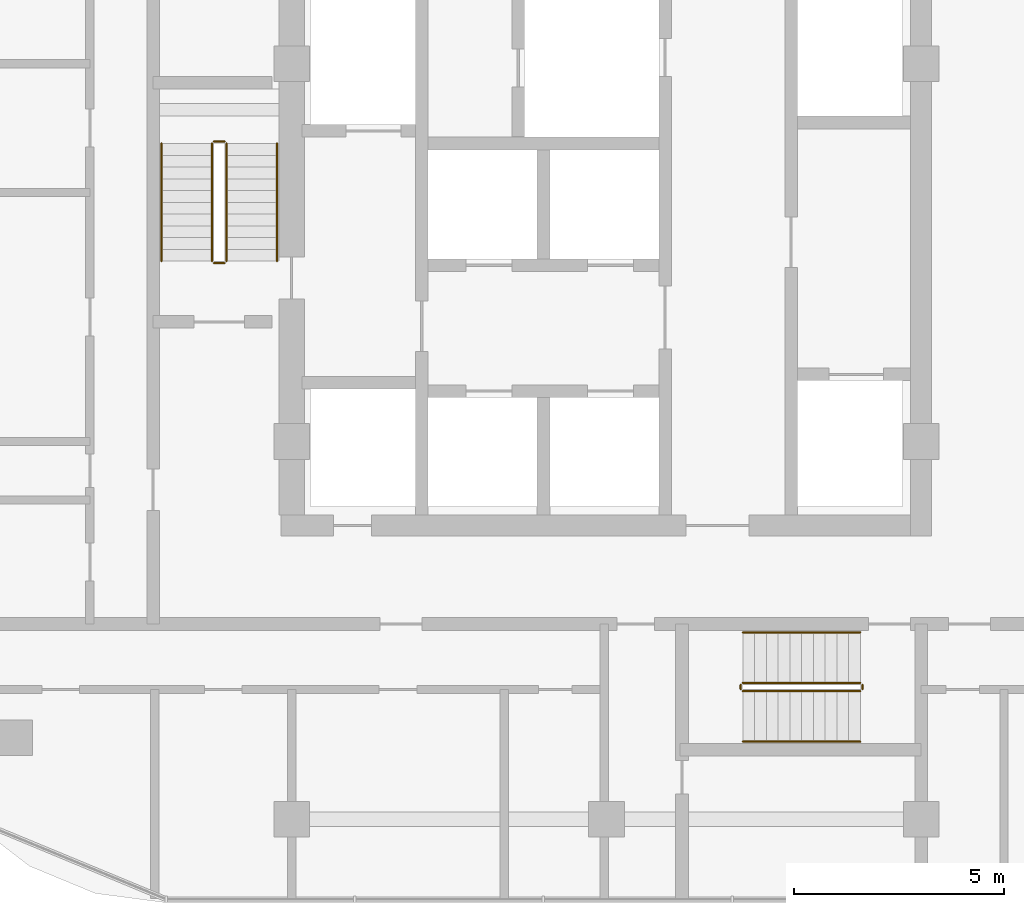
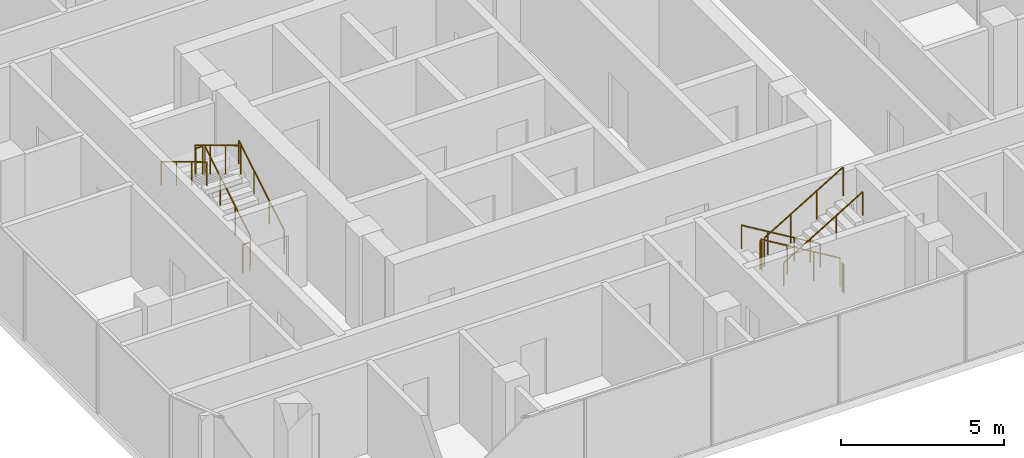
# One storey, part 32 of 32: 12 railings.
"""IFC4 building model written with IfcOpenShell, lengths in metres."""

from ifc_helpers import new_model, si_unit, direction, frame, origin, origin_2d, place, context, subcontext, project, spatial, circle, extrude, material, type_object, element, save


model = new_model("IFC4")

# Units and contexts
model_context = context("Model", 3, precision=1e-05, world=origin(), true_north=direction((0.0, 1.0)))
body_context = subcontext(model_context, "Body", "Model", "MODEL_VIEW")
ifc_project = project(units=[si_unit("LENGTHUNIT", "METRE"), si_unit("AREAUNIT", "SQUARE_METRE"), si_unit("VOLUMEUNIT", "CUBIC_METRE"), si_unit("PLANEANGLEUNIT", "RADIAN"), si_unit("MASSUNIT", "GRAM", prefix="KILO")], contexts=[model_context])

# Site, building, storey
site_placement = place(None, origin())
site = spatial("IfcSite", under=ifc_project, at=site_placement, CompositionType="ELEMENT")
building_placement = place(site_placement, origin())
building = spatial("IfcBuilding", under=site, at=building_placement, Name="Ogive Portal Towers", CompositionType="ELEMENT")
storey_placement = place(building_placement, frame((0.0, 0.0, 59.39990234375)))
storey = spatial("IfcBuildingStorey", under=building, at=storey_placement, Name="L13", CompositionType="ELEMENT", Elevation=59.39990234375)

# Railings
ifc_material_1 = material(Name="Stainless steel balustrade", Category="steel")
railing_type_1 = type_object("IfcRailingType", Name="INT-GUARD", PredefinedType="GUARDRAIL", material=ifc_material_1)
railing_1_placement = place(storey_placement, frame((127.449951171875, 30.800048828125, 0.168212890625)))
element("IfcRailing", 1, at=railing_1_placement, inside=storey, type_object=railing_type_1, Name="L13 ST-B1 stair guard 1", PredefinedType="GUARDRAIL", context=body_context, shape_type="SweptSolid", body=[
    extrude(circle(Radius=0.02392578125, at=origin_2d()), frame((0.0, 0.0, 1.076171875), z_axis=(0.0, 0.857242210791, 0.514913383045), x_axis=(-1.0, 0.0, 0.0)), (0.0, 0.0, 1.0), 3.266357421875),
    extrude(circle(Radius=0.02099609375, at=origin_2d()), origin(), (0.0, 0.0, 1.0), 1.052001953125),
    extrude(circle(Radius=0.02099609375, at=origin_2d()), frame((0.0, 0.933349609375, 0.560546875)), (0.0, 0.0, 1.0), 1.052001953125),
    extrude(circle(Radius=0.02099609375, at=origin_2d()), frame((0.0, 1.86669921875, 1.121337890625)), (0.0, 0.0, 1.0), 1.052001953125),
    extrude(circle(Radius=0.02099609375, at=origin_2d()), frame((0.0, 2.800048828125, 1.681884765625)), (0.0, 0.0, 1.0), 1.052001953125),
])
railing_2_placement = place(storey_placement, frame((127.39990234375, 33.64990234375, 1.85009765625)))
element("IfcRailing", 2, at=railing_2_placement, inside=storey, type_object=railing_type_1, Name="L13 ST-B1 stair guard 2", PredefinedType="GUARDRAIL", context=body_context, shape_type="SweptSolid", body=[
    extrude(circle(Radius=0.02392578125, at=origin_2d()), frame((0.0, 0.0, 1.076171875), z_axis=(-1.0, 0.0, 0.0), x_axis=(0.0, -1.0, 0.0)), (0.0, 0.0, 1.0), 0.25),
    extrude(circle(Radius=0.02099609375, at=origin_2d()), origin(), (0.0, 0.0, 1.0), 1.052001953125),
    extrude(circle(Radius=0.02099609375, at=origin_2d()), frame((-0.25, 0.0, 0.0)), (0.0, 0.0, 1.0), 1.052001953125),
])
railing_3_placement = place(storey_placement, frame((127.10009765625, 33.60009765625, 2.018310546875)))
element("IfcRailing", 3, at=railing_3_placement, inside=storey, type_object=railing_type_1, Name="L13 ST-B1 stair guard 3", PredefinedType="GUARDRAIL", context=body_context, shape_type="SweptSolid", body=[
    extrude(circle(Radius=0.02392578125, at=origin_2d()), frame((0.0, 0.0, 1.076171875), z_axis=(0.0, -0.857242210791, 0.514913383045), x_axis=(1.0, 0.0, 0.0)), (0.0, 0.0, 1.0), 3.266357421875),
    extrude(circle(Radius=0.02099609375, at=origin_2d()), origin(), (0.0, 0.0, 1.0), 1.052001953125),
    extrude(circle(Radius=0.02099609375, at=origin_2d()), frame((0.0, -0.933349609375, 0.560546875)), (0.0, 0.0, 1.0), 1.052001953125),
    extrude(circle(Radius=0.02099609375, at=origin_2d()), frame((0.0, -1.86669921875, 1.121337890625)), (0.0, 0.0, 1.0), 1.052001953125),
    extrude(circle(Radius=0.02099609375, at=origin_2d()), frame((0.0, -2.800048828125, 1.681884765625)), (0.0, 0.0, 1.0), 1.052001953125),
])
railing_4_placement = place(storey_placement, frame((127.39990234375, 30.75, 0.0)))
element("IfcRailing", 4, at=railing_4_placement, inside=storey, type_object=railing_type_1, Name="L13 ST-B1 stair guard 4", PredefinedType="GUARDRAIL", context=body_context, shape_type="SweptSolid", body=[
    extrude(circle(Radius=0.02392578125, at=origin_2d()), frame((0.0, 0.0, 1.076171875), z_axis=(-1.0, 0.0, 0.0), x_axis=(0.0, -1.0, 0.0)), (0.0, 0.0, 1.0), 0.25),
    extrude(circle(Radius=0.02099609375, at=origin_2d()), origin(), (0.0, 0.0, 1.0), 1.052001953125),
    extrude(circle(Radius=0.02099609375, at=origin_2d()), frame((-0.25, 0.0, 0.0)), (0.0, 0.0, 1.0), 1.052001953125),
])
railing_5_placement = place(storey_placement, frame((142.550048828125, 20.75, 0.168212890625)))
element("IfcRailing", 5, at=railing_5_placement, inside=storey, type_object=railing_type_1, Name="L13 ST-B2 stair guard 1", PredefinedType="GUARDRAIL", context=body_context, shape_type="SweptSolid", body=[
    extrude(circle(Radius=0.02392578125, at=origin_2d()), frame((0.0, 0.0, 1.076171875), z_axis=(-0.857242210791, 0.0, 0.514913383045), x_axis=(0.0, -1.0, 0.0)), (0.0, 0.0, 1.0), 3.266357421875),
    extrude(circle(Radius=0.02099609375, at=origin_2d()), origin(), (0.0, 0.0, 1.0), 1.052001953125),
    extrude(circle(Radius=0.02099609375, at=origin_2d()), frame((-0.933349609375, 0.0, 0.560546875)), (0.0, 0.0, 1.0), 1.052001953125),
    extrude(circle(Radius=0.02099609375, at=origin_2d()), frame((-1.86669921875, 0.0, 1.121337890625)), (0.0, 0.0, 1.0), 1.052001953125),
    extrude(circle(Radius=0.02099609375, at=origin_2d()), frame((-2.800048828125, 0.0, 1.681884765625)), (0.0, 0.0, 1.0), 1.052001953125),
])
railing_6_placement = place(storey_placement, frame((139.699951171875, 20.699951171875, 1.85009765625)))
element("IfcRailing", 6, at=railing_6_placement, inside=storey, type_object=railing_type_1, Name="L13 ST-B2 stair guard 2", PredefinedType="GUARDRAIL", context=body_context, shape_type="SweptSolid", body=[
    extrude(circle(Radius=0.02392578125, at=origin_2d()), frame((0.0, 0.0, 1.076171875), z_axis=(0.0, -1.0, 0.0), x_axis=(1.0, 0.0, 0.0)), (0.0, 0.0, 1.0), 0.099853515625),
    extrude(circle(Radius=0.02099609375, at=origin_2d()), origin(), (0.0, 0.0, 1.0), 1.052001953125),
    extrude(circle(Radius=0.02099609375, at=origin_2d()), frame((0.0, -0.099853515625, 0.0)), (0.0, 0.0, 1.0), 1.052001953125),
])
railing_7_placement = place(storey_placement, frame((139.75, 20.550048828125, 2.018310546875)))
element("IfcRailing", 7, at=railing_7_placement, inside=storey, type_object=railing_type_1, Name="L13 ST-B2 stair guard 3", PredefinedType="GUARDRAIL", context=body_context, shape_type="SweptSolid", body=[
    extrude(circle(Radius=0.02392578125, at=origin_2d()), frame((0.0, 0.0, 1.076171875), z_axis=(0.857242210791, 0.0, 0.514913383045), x_axis=(0.0, 1.0, 0.0)), (0.0, 0.0, 1.0), 3.266357421875),
    extrude(circle(Radius=0.02099609375, at=origin_2d()), origin(), (0.0, 0.0, 1.0), 1.052001953125),
    extrude(circle(Radius=0.02099609375, at=origin_2d()), frame((0.933349609375, 0.0, 0.560546875)), (0.0, 0.0, 1.0), 1.052001953125),
    extrude(circle(Radius=0.02099609375, at=origin_2d()), frame((1.86669921875, 0.0, 1.121337890625)), (0.0, 0.0, 1.0), 1.052001953125),
    extrude(circle(Radius=0.02099609375, at=origin_2d()), frame((2.800048828125, 0.0, 1.681884765625)), (0.0, 0.0, 1.0), 1.052001953125),
])
railing_8_placement = place(storey_placement, frame((142.60009765625, 20.699951171875, 0.0)))
element("IfcRailing", 8, at=railing_8_placement, inside=storey, type_object=railing_type_1, Name="L13 ST-B2 stair guard 4", PredefinedType="GUARDRAIL", context=body_context, shape_type="SweptSolid", body=[
    extrude(circle(Radius=0.02392578125, at=origin_2d()), frame((0.0, 0.0, 1.076171875), z_axis=(0.0, -1.0, 0.0), x_axis=(1.0, 0.0, 0.0)), (0.0, 0.0, 1.0), 0.099853515625),
    extrude(circle(Radius=0.02099609375, at=origin_2d()), origin(), (0.0, 0.0, 1.0), 1.052001953125),
    extrude(circle(Radius=0.02099609375, at=origin_2d()), frame((0.0, -0.099853515625, 0.0)), (0.0, 0.0, 1.0), 1.052001953125),
])
ifc_material_2 = material(Name="Stainless steel handrail", Category="steel")
railing_type_2 = type_object("IfcRailingType", Name="INT-HANDRAIL", PredefinedType="HANDRAIL", material=ifc_material_2)
railing_9_placement = place(storey_placement, frame((128.64990234375, 30.800048828125, 0.168212890625)))
element("IfcRailing", 9, at=railing_9_placement, inside=storey, type_object=railing_type_2, Name="L13 ST-B1 stair handrail 1", PredefinedType="HANDRAIL", context=body_context, shape_type="SweptSolid", body=[
    extrude(circle(Radius=0.02392578125, at=origin_2d()), frame((0.0, 0.0, 0.8759765625), z_axis=(0.0, 0.857242210791, 0.514913383045), x_axis=(-1.0, 0.0, 0.0)), (0.0, 0.0, 1.0), 3.266357421875),
    extrude(circle(Radius=0.02099609375, at=origin_2d()), origin(), (0.0, 0.0, 1.0), 0.851806640625),
    extrude(circle(Radius=0.02099609375, at=origin_2d()), frame((0.0, 0.933349609375, 0.560546875)), (0.0, 0.0, 1.0), 0.851806640625),
    extrude(circle(Radius=0.02099609375, at=origin_2d()), frame((0.0, 1.86669921875, 1.121337890625)), (0.0, 0.0, 1.0), 0.851806640625),
    extrude(circle(Radius=0.02099609375, at=origin_2d()), frame((0.0, 2.800048828125, 1.681884765625)), (0.0, 0.0, 1.0), 0.851806640625),
])
railing_10_placement = place(storey_placement, frame((125.89990234375, 33.60009765625, 2.018310546875)))
element("IfcRailing", 10, at=railing_10_placement, inside=storey, type_object=railing_type_2, Name="L13 ST-B1 stair handrail 2", PredefinedType="HANDRAIL", context=body_context, shape_type="SweptSolid", body=[
    extrude(circle(Radius=0.02392578125, at=origin_2d()), frame((0.0, 0.0, 0.8759765625), z_axis=(0.0, -0.857242210791, 0.514913383045), x_axis=(1.0, 0.0, 0.0)), (0.0, 0.0, 1.0), 3.266357421875),
    extrude(circle(Radius=0.02099609375, at=origin_2d()), origin(), (0.0, 0.0, 1.0), 0.851806640625),
    extrude(circle(Radius=0.02099609375, at=origin_2d()), frame((0.0, -0.933349609375, 0.560546875)), (0.0, 0.0, 1.0), 0.851806640625),
    extrude(circle(Radius=0.02099609375, at=origin_2d()), frame((0.0, -1.86669921875, 1.121337890625)), (0.0, 0.0, 1.0), 0.851806640625),
    extrude(circle(Radius=0.02099609375, at=origin_2d()), frame((0.0, -2.800048828125, 1.681884765625)), (0.0, 0.0, 1.0), 0.851806640625),
])
railing_11_placement = place(storey_placement, frame((142.550048828125, 21.949951171875, 0.168212890625)))
element("IfcRailing", 11, at=railing_11_placement, inside=storey, type_object=railing_type_2, Name="L13 ST-B2 stair handrail 1", PredefinedType="HANDRAIL", context=body_context, shape_type="SweptSolid", body=[
    extrude(circle(Radius=0.02392578125, at=origin_2d()), frame((0.0, 0.0, 0.8759765625), z_axis=(-0.857242210791, 0.0, 0.514913383045), x_axis=(0.0, -1.0, 0.0)), (0.0, 0.0, 1.0), 3.266357421875),
    extrude(circle(Radius=0.02099609375, at=origin_2d()), origin(), (0.0, 0.0, 1.0), 0.851806640625),
    extrude(circle(Radius=0.02099609375, at=origin_2d()), frame((-0.933349609375, 0.0, 0.560546875)), (0.0, 0.0, 1.0), 0.851806640625),
    extrude(circle(Radius=0.02099609375, at=origin_2d()), frame((-1.86669921875, 0.0, 1.121337890625)), (0.0, 0.0, 1.0), 0.851806640625),
    extrude(circle(Radius=0.02099609375, at=origin_2d()), frame((-2.800048828125, 0.0, 1.681884765625)), (0.0, 0.0, 1.0), 0.851806640625),
])
railing_12_placement = place(storey_placement, frame((139.75, 19.35009765625, 2.018310546875)))
element("IfcRailing", 12, at=railing_12_placement, inside=storey, type_object=railing_type_2, Name="L13 ST-B2 stair handrail 2", PredefinedType="HANDRAIL", context=body_context, shape_type="SweptSolid", body=[
    extrude(circle(Radius=0.02392578125, at=origin_2d()), frame((0.0, 0.0, 0.8759765625), z_axis=(0.857242210791, 0.0, 0.514913383045), x_axis=(0.0, 1.0, 0.0)), (0.0, 0.0, 1.0), 3.266357421875),
    extrude(circle(Radius=0.02099609375, at=origin_2d()), origin(), (0.0, 0.0, 1.0), 0.851806640625),
    extrude(circle(Radius=0.02099609375, at=origin_2d()), frame((0.933349609375, 0.0, 0.560546875)), (0.0, 0.0, 1.0), 0.851806640625),
    extrude(circle(Radius=0.02099609375, at=origin_2d()), frame((1.86669921875, 0.0, 1.121337890625)), (0.0, 0.0, 1.0), 0.851806640625),
    extrude(circle(Radius=0.02099609375, at=origin_2d()), frame((2.800048828125, 0.0, 1.681884765625)), (0.0, 0.0, 1.0), 0.851806640625),
])

save(model, "model.ifc")
